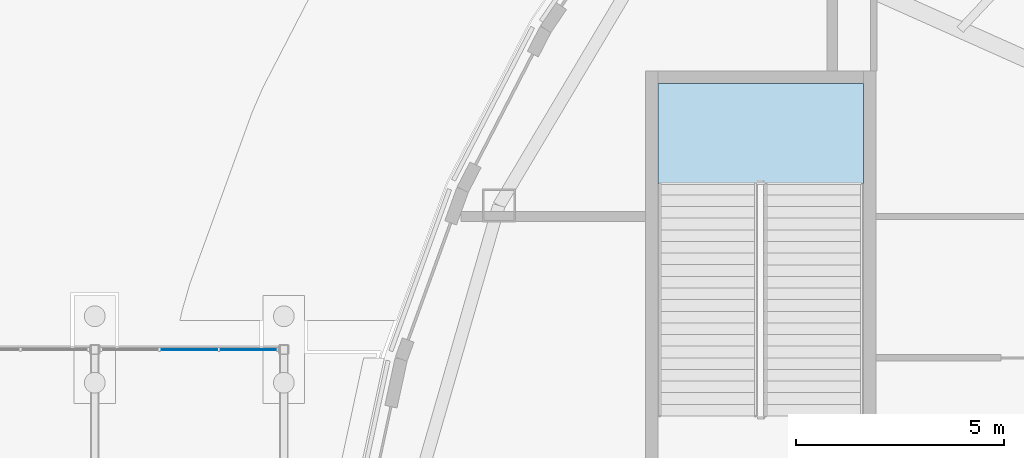
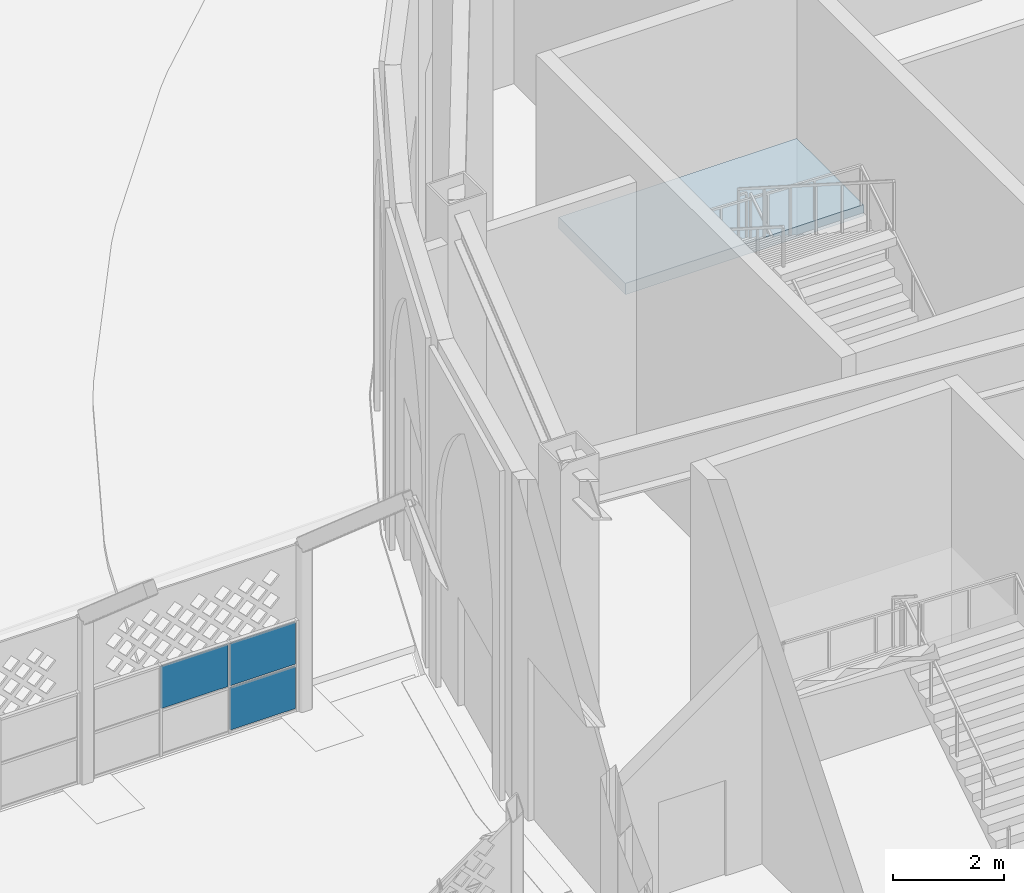
# One storey, part 36 of 79: 3 plates, 1 slab, 2 elements without a shape of their own.
"""IFC4 building model written with IfcOpenShell, lengths in metres."""

from ifc_helpers import new_model, si_unit, direction, frame, origin, origin_2d, place, context, subcontext, project, spatial, polyline, rectangle, outline, extrude, material, layer, layer_set, type_object, element, aggregate, save


model = new_model("IFC4")

# Units and contexts
model_context = context("Model", 3, precision=1e-05, world=origin(), true_north=direction((0.0, 1.0)))
body_context = subcontext(model_context, "Body", "Model", "MODEL_VIEW")
ifc_project = project(units=[si_unit("LENGTHUNIT", "METRE"), si_unit("AREAUNIT", "SQUARE_METRE"), si_unit("VOLUMEUNIT", "CUBIC_METRE"), si_unit("PLANEANGLEUNIT", "RADIAN"), si_unit("MASSUNIT", "GRAM", prefix="KILO")], contexts=[model_context])

# Site, building, storey
site_placement = place(None, origin())
site = spatial("IfcSite", under=ifc_project, at=site_placement, CompositionType="ELEMENT")
building_placement = place(site_placement, origin())
building = spatial("IfcBuilding", under=site, at=building_placement, Name="Noorbagh Ring Tower", CompositionType="ELEMENT")
storey_placement = place(building_placement, origin())
storey = spatial("IfcBuildingStorey", under=building, at=storey_placement, Name="L00", CompositionType="ELEMENT", Elevation=0.0)

# Curtain wall, plates
ifc_material_1 = material(Name="Aluminium and glass", Category="aluminium")
ifc_layer_1 = layer(ifc_material_1, 0.10009765625)
ifc_layer_set_1 = layer_set([ifc_layer_1], Name="Aluminium and glass")
curtain_wall_type = type_object("IfcCurtainWallType", Name="AR-CW", PredefinedType="NOTDEFINED", material=ifc_layer_set_1)
curtain_wall_placement = place(storey_placement, origin())
curtain_wall = element("IfcCurtainWall", 1, at=curtain_wall_placement, inside=storey, type_object=curtain_wall_type, Name="Arcade glazing", PredefinedType="NOTDEFINED")
ifc_material_2 = material(Name="Clear laminated glass", Category="glass")
ifc_layer_2 = layer(ifc_material_2, 0.02392578125)
ifc_layer_set_2 = layer_set([ifc_layer_2], Name="Clear laminated glass")
plate_type = type_object("IfcPlateType", Name="AR-CW-PANEL", PredefinedType="CURTAIN_PANEL", material=ifc_layer_set_2)
plate_1_placement = place(storey_placement, frame((-55.47509765625, 8.800048828125, 1.02490234375), z_axis=(0.0, 0.0, 1.0), x_axis=(1.0, 0.0, 0.0)))
plate_1 = element("IfcPlate", 2, at=plate_1_placement, type_object=plate_type, Name="CW-A panel 2.2", PredefinedType="CURTAIN_PANEL", context=body_context, shape_type="SweptSolid", body=[
    extrude(rectangle(XDim=1.38330078125, YDim=0.02392578125, at=origin_2d()), origin(), (0.0, 0.0, 1.0), 0.925048828125),
])
plate_2_placement = place(storey_placement, frame((-54.05419921875, 8.800048828125, 0.0498046875), z_axis=(0.0, 0.0, 1.0), x_axis=(1.0, 0.0, 0.0)))
plate_2 = element("IfcPlate", 3, at=plate_2_placement, type_object=plate_type, Name="CW-A panel 3.1", PredefinedType="CURTAIN_PANEL", context=body_context, shape_type="SweptSolid", body=[
    extrude(rectangle(XDim=1.3583984375, YDim=0.02392578125, at=origin_2d()), origin(), (0.0, 0.0, 1.0), 0.925048828125),
])
plate_3_placement = place(storey_placement, frame((-54.05419921875, 8.800048828125, 1.02490234375), z_axis=(0.0, 0.0, 1.0), x_axis=(1.0, 0.0, 0.0)))
plate_3 = element("IfcPlate", 4, at=plate_3_placement, type_object=plate_type, Name="CW-A panel 3.2", PredefinedType="CURTAIN_PANEL", context=body_context, shape_type="SweptSolid", body=[
    extrude(rectangle(XDim=1.3583984375, YDim=0.02392578125, at=origin_2d()), origin(), (0.0, 0.0, 1.0), 0.925048828125),
])
aggregate(curtain_wall, [plate_1, plate_2, plate_3])

# Stair, slab
ifc_material_3 = material(Name="Concrete C40/50", Category="concrete")
stair_type = type_object("IfcStairType", Name="GND-STAIR", PredefinedType="HALF_TURN_STAIR", material=ifc_material_3)
stair_placement = place(storey_placement, origin())
stair = element("IfcStair", 5, at=stair_placement, inside=storey, type_object=stair_type, Name="L00 exit stair ST-P7", PredefinedType="HALF_TURN_STAIR")
ifc_material_4 = material(Name="Concrete C40/50", Category="concrete")
ifc_layer_3 = layer(ifc_material_4, 0.25)
ifc_layer_set_3 = layer_set([ifc_layer_3], Name="Concrete C40/50")
slab_type = type_object("IfcSlabType", Name="GND-STAIR-LANDING", PredefinedType="LANDING", material=ifc_layer_set_3)
slab_placement = place(storey_placement, frame((0.0, 0.0, 3.5)))
slab = element("IfcSlab", 6, at=slab_placement, type_object=slab_type, Name="ST-P7 landing 1", PredefinedType="LANDING", context=body_context, shape_type="SweptSolid", body=[
    extrude(outline(polyline([(-39.25, 12.800048828125), (-39.25, 15.199951171875), (-44.199951171875, 15.199951171875), (-44.199951171875, 12.800048828125), (-39.25, 12.800048828125)])), origin(), (0.0, 0.0, 1.0), 0.25),
])
aggregate(stair, [slab])

save(model, "model.ifc")
